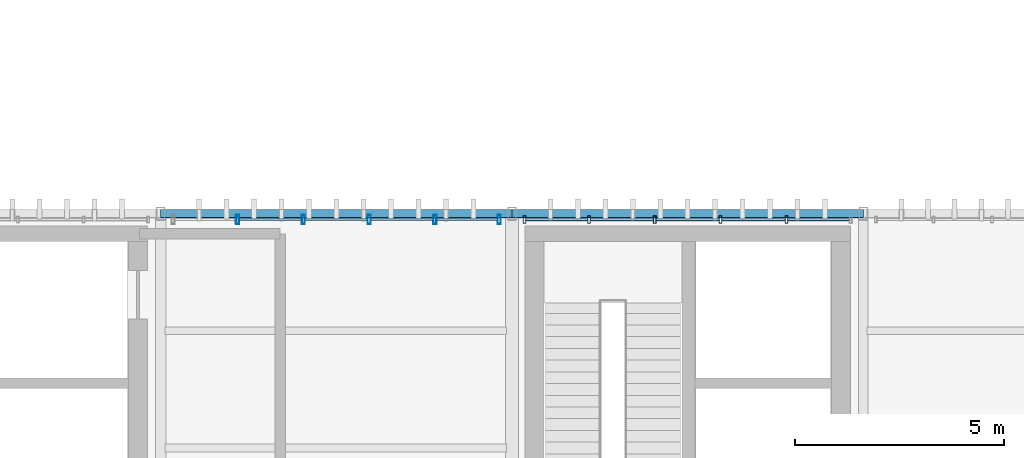
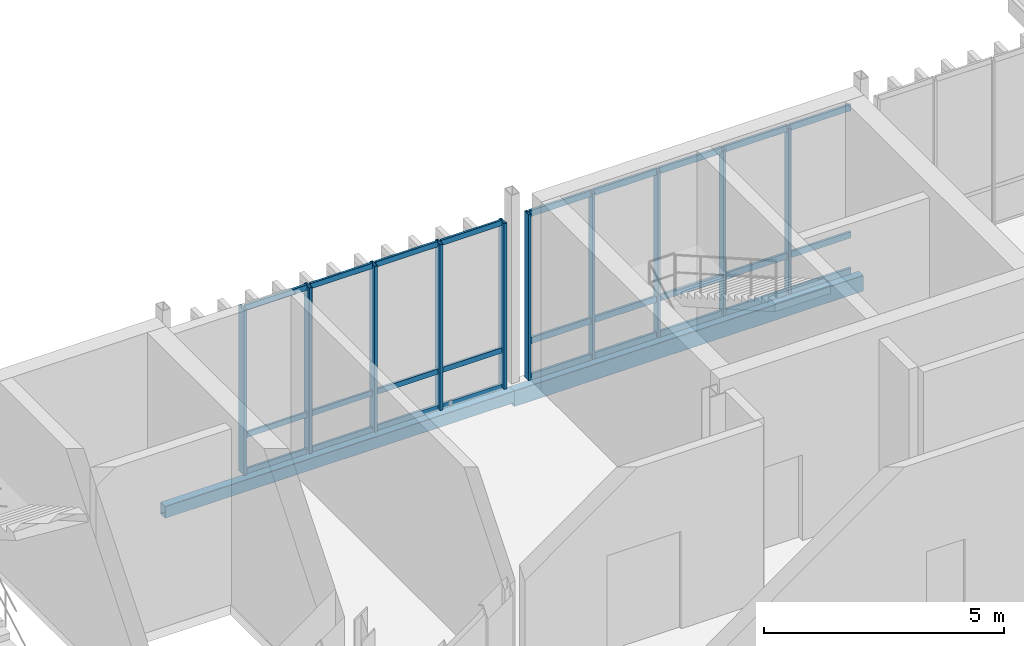
# One storey, part 25 of 94: 37 members, 2 beams, 2 elements without a shape of their own.
"""IFC4 building model written with IfcOpenShell, lengths in metres."""

from ifc_helpers import new_model, si_unit, direction, frame, origin_with_axes, origin_2d_with_axis, place, context, subcontext, project, spatial, hollow_rectangle, extrude, material, material_profile, profile_set, type_object, element, aggregate, save


model = new_model("IFC4")

# Units and contexts
model_context = context("Model", 3, precision=1e-05, world=origin_with_axes(), true_north=direction((0.0, 1.0)))
body_context = subcontext(model_context, "Body", "Model", "MODEL_VIEW")
ifc_project = project(units=[si_unit("LENGTHUNIT", "METRE"), si_unit("AREAUNIT", "SQUARE_METRE"), si_unit("VOLUMEUNIT", "CUBIC_METRE"), si_unit("PLANEANGLEUNIT", "RADIAN"), si_unit("MASSUNIT", "GRAM", prefix="KILO"), si_unit("THERMODYNAMICTEMPERATUREUNIT", "KELVIN")], contexts=[model_context])

# Site, building, storey
site_placement = place(None, origin_with_axes())
site = spatial("IfcSite", under=ifc_project, at=site_placement, CompositionType="ELEMENT")
building_placement = place(site_placement, origin_with_axes())
building = spatial("IfcBuilding", under=site, at=building_placement, Name="Montbau Bow Law Courts", CompositionType="ELEMENT")
storey_placement = place(building_placement, frame((0.0, 0.0, 15.6), z_axis=(0.0, 0.0, 1.0), x_axis=(1.0, 0.0, 0.0)))
storey = spatial("IfcBuildingStorey", under=building, at=storey_placement, Name="L03", CompositionType="ELEMENT", Elevation=15.6)

# Beams
ifc_material_1 = material(Name="Steel CSA G40.21 Grade 350WT (350 MPa)", Category="steel")
ifc_material_profile_1 = material_profile(ifc_material_1, hollow_rectangle(XDim=0.203, YDim=0.406, WallThickness=0.0127, InnerFilletRadius=0.0254, OuterFilletRadius=0.0127, at=origin_2d_with_axis()), Name="HSS406X203X13", Category="Main", Priority=0)
ifc_profile_set_1 = profile_set([ifc_material_profile_1], Name="Steel CSA G40.21 Grade 350WT (350 MPa)")
beam_type_1 = type_object("IfcBeamType", Name="B-SPN-01", PredefinedType="SPANDREL", material=ifc_profile_set_1)
beam_1_placement = place(None, frame((30.6, 54.6, 15.157), z_axis=(1.0, 0.0, 0.0), x_axis=(0.0, 1.0, 0.0)))
element("IfcBeam", 1, at=beam_1_placement, inside=storey, type_object=beam_type_1, Name="SPN-L03-S0599:bm2_0602", PredefinedType="SPANDREL", context=body_context, shape_type="SweptSolid", body=[
    extrude(hollow_rectangle(XDim=0.203, YDim=0.406, WallThickness=0.0127, InnerFilletRadius=0.0254, OuterFilletRadius=0.0127, at=origin_2d_with_axis()), origin_with_axes(), (0.0, 0.0, 1.0), 8.4),
])
ifc_material_profile_2 = material_profile(ifc_material_1, hollow_rectangle(XDim=0.203, YDim=0.305, WallThickness=0.0127, InnerFilletRadius=0.0254, OuterFilletRadius=0.0127, at=origin_2d_with_axis()), Name="HSS305X203X13", Category="Main", Priority=0)
ifc_profile_set_2 = profile_set([ifc_material_profile_2], Name="Steel CSA G40.21 Grade 350WT (350 MPa)")
beam_type_2 = type_object("IfcBeamType", Name="B-SPN-02", PredefinedType="SPANDREL", material=ifc_profile_set_2)
beam_2_placement = place(None, frame((22.2, 54.6, 15.207), z_axis=(1.0, 0.0, 0.0), x_axis=(0.0, 1.0, 0.0)))
element("IfcBeam", 2, at=beam_2_placement, inside=storey, type_object=beam_type_2, Name="SPN-L03-S0598:bm2_0601", PredefinedType="SPANDREL", context=body_context, shape_type="SweptSolid", body=[
    extrude(hollow_rectangle(XDim=0.203, YDim=0.305, WallThickness=0.0127, InnerFilletRadius=0.0254, OuterFilletRadius=0.0127, at=origin_2d_with_axis()), origin_with_axes(), (0.0, 0.0, 1.0), 8.4),
])

# Curtain wall, members
ifc_material_2 = material(Name="Thermally Broken Extruded Aluminium AA 6063-T6", Category="aluminium")
curtain_wall_type = type_object("IfcCurtainWallType", Name="CW-TRC-01", PredefinedType="NOTDEFINED", material=ifc_material_2)
curtain_wall_1_placement = place(None, frame((22.467, 54.46, 15.6), z_axis=(0.0, 0.0, 1.0), x_axis=(1.0, 0.0, 0.0)))
curtain_wall_1 = element("IfcCurtainWall", 3, at=curtain_wall_1_placement, inside=storey, type_object=curtain_wall_type, Name="CW-L03-057:cw_0057", PredefinedType="NOTDEFINED")
ifc_material_profile_3 = material_profile(ifc_material_2, hollow_rectangle(XDim=0.075, YDim=0.22, WallThickness=0.005, InnerFilletRadius=0.01, OuterFilletRadius=0.005, at=origin_2d_with_axis()), Name="CWM-220X75", Category="Main", Priority=0)
ifc_profile_set_3 = profile_set([ifc_material_profile_3], Name="Thermally Broken Extruded Aluminium AA 6063-T6")
member_type_1 = type_object("IfcMemberType", Name="M-MUL-01", PredefinedType="MULLION", material=ifc_profile_set_3)
member_1_placement = place(None, frame((24.04, 54.46, 15.6), z_axis=(0.0, 0.0, 1.0), x_axis=(1.0, 0.0, 0.0)))
member_1 = element("IfcMember", 4, at=member_1_placement, type_object=member_type_1, Name="CW-L03-057-M02:cw_0057_M02", PredefinedType="MULLION", context=body_context, shape_type="SweptSolid", body=[
    extrude(hollow_rectangle(XDim=0.075, YDim=0.22, WallThickness=0.005, InnerFilletRadius=0.01, OuterFilletRadius=0.005, at=origin_2d_with_axis()), origin_with_axes(), (0.0, 0.0, 1.0), 4.22),
])
member_2_placement = place(None, frame((25.613, 54.46, 15.6), z_axis=(0.0, 0.0, 1.0), x_axis=(1.0, 0.0, 0.0)))
member_2 = element("IfcMember", 5, at=member_2_placement, type_object=member_type_1, Name="CW-L03-057-M03:cw_0057_M03", PredefinedType="MULLION", context=body_context, shape_type="SweptSolid", body=[
    extrude(hollow_rectangle(XDim=0.075, YDim=0.22, WallThickness=0.005, InnerFilletRadius=0.01, OuterFilletRadius=0.005, at=origin_2d_with_axis()), origin_with_axes(), (0.0, 0.0, 1.0), 4.22),
])
member_3_placement = place(None, frame((27.187, 54.46, 15.6), z_axis=(0.0, 0.0, 1.0), x_axis=(1.0, 0.0, 0.0)))
member_3 = element("IfcMember", 6, at=member_3_placement, type_object=member_type_1, Name="CW-L03-057-M04:cw_0057_M04", PredefinedType="MULLION", context=body_context, shape_type="SweptSolid", body=[
    extrude(hollow_rectangle(XDim=0.075, YDim=0.22, WallThickness=0.005, InnerFilletRadius=0.01, OuterFilletRadius=0.005, at=origin_2d_with_axis()), origin_with_axes(), (0.0, 0.0, 1.0), 4.22),
])
member_4_placement = place(None, frame((28.76, 54.46, 15.6), z_axis=(0.0, 0.0, 1.0), x_axis=(1.0, 0.0, 0.0)))
member_4 = element("IfcMember", 7, at=member_4_placement, type_object=member_type_1, Name="CW-L03-057-M05:cw_0057_M05", PredefinedType="MULLION", context=body_context, shape_type="SweptSolid", body=[
    extrude(hollow_rectangle(XDim=0.075, YDim=0.22, WallThickness=0.005, InnerFilletRadius=0.01, OuterFilletRadius=0.005, at=origin_2d_with_axis()), origin_with_axes(), (0.0, 0.0, 1.0), 4.22),
])
member_5_placement = place(None, frame((30.296, 54.46, 15.6), z_axis=(0.0, 0.0, 1.0), x_axis=(1.0, 0.0, 0.0)))
member_5 = element("IfcMember", 8, at=member_5_placement, type_object=member_type_1, Name="CW-L03-057-M06:cw_0057_M06", PredefinedType="MULLION", context=body_context, shape_type="SweptSolid", body=[
    extrude(hollow_rectangle(XDim=0.075, YDim=0.22, WallThickness=0.005, InnerFilletRadius=0.01, OuterFilletRadius=0.005, at=origin_2d_with_axis()), origin_with_axes(), (0.0, 0.0, 1.0), 4.22),
])

curtain_wall_2_placement = place(None, frame((30.867, 54.46, 15.6), z_axis=(0.0, 0.0, 1.0), x_axis=(1.0, 0.0, 0.0)))
curtain_wall_2 = element("IfcCurtainWall", 9, at=curtain_wall_2_placement, inside=storey, type_object=curtain_wall_type, Name="CW-L03-058:cw_0058", PredefinedType="NOTDEFINED")
ifc_material_profile_4 = material_profile(ifc_material_2, hollow_rectangle(XDim=0.065, YDim=0.18, WallThickness=0.005, InnerFilletRadius=0.01, OuterFilletRadius=0.005, at=origin_2d_with_axis()), Name="CWM-180X65", Category="Main", Priority=0)
ifc_profile_set_4 = profile_set([ifc_material_profile_4], Name="Thermally Broken Extruded Aluminium AA 6063-T6")
member_type_2 = type_object("IfcMemberType", Name="M-MUL-02", PredefinedType="MULLION", material=ifc_profile_set_4)
member_6_placement = place(None, frame((30.9, 54.46, 15.6), z_axis=(0.0, 0.0, 1.0), x_axis=(1.0, 0.0, 0.0)))
member_6 = element("IfcMember", 10, at=member_6_placement, type_object=member_type_2, Name="CW-L03-058-M01:cw_0058_M01", PredefinedType="MULLION", context=body_context, shape_type="SweptSolid", body=[
    extrude(hollow_rectangle(XDim=0.065, YDim=0.18, WallThickness=0.005, InnerFilletRadius=0.01, OuterFilletRadius=0.005, at=origin_2d_with_axis()), origin_with_axes(), (0.0, 0.0, 1.0), 4.22),
])
member_7_placement = place(None, frame((32.44, 54.46, 15.6), z_axis=(0.0, 0.0, 1.0), x_axis=(1.0, 0.0, 0.0)))
member_7 = element("IfcMember", 11, at=member_7_placement, type_object=member_type_2, Name="CW-L03-058-M02:cw_0058_M02", PredefinedType="MULLION", context=body_context, shape_type="SweptSolid", body=[
    extrude(hollow_rectangle(XDim=0.065, YDim=0.18, WallThickness=0.005, InnerFilletRadius=0.01, OuterFilletRadius=0.005, at=origin_2d_with_axis()), origin_with_axes(), (0.0, 0.0, 1.0), 4.22),
])
member_8_placement = place(None, frame((34.013, 54.46, 15.6), z_axis=(0.0, 0.0, 1.0), x_axis=(1.0, 0.0, 0.0)))
member_8 = element("IfcMember", 12, at=member_8_placement, type_object=member_type_2, Name="CW-L03-058-M03:cw_0058_M03", PredefinedType="MULLION", context=body_context, shape_type="SweptSolid", body=[
    extrude(hollow_rectangle(XDim=0.065, YDim=0.18, WallThickness=0.005, InnerFilletRadius=0.01, OuterFilletRadius=0.005, at=origin_2d_with_axis()), origin_with_axes(), (0.0, 0.0, 1.0), 4.22),
])
member_9_placement = place(None, frame((35.586, 54.46, 15.6), z_axis=(0.0, 0.0, 1.0), x_axis=(1.0, 0.0, 0.0)))
member_9 = element("IfcMember", 13, at=member_9_placement, type_object=member_type_2, Name="CW-L03-058-M04:cw_0058_M04", PredefinedType="MULLION", context=body_context, shape_type="SweptSolid", body=[
    extrude(hollow_rectangle(XDim=0.065, YDim=0.18, WallThickness=0.005, InnerFilletRadius=0.01, OuterFilletRadius=0.005, at=origin_2d_with_axis()), origin_with_axes(), (0.0, 0.0, 1.0), 4.22),
])
member_10_placement = place(None, frame((37.159, 54.46, 15.6), z_axis=(0.0, 0.0, 1.0), x_axis=(1.0, 0.0, 0.0)))
member_10 = element("IfcMember", 14, at=member_10_placement, type_object=member_type_2, Name="CW-L03-058-M05:cw_0058_M05", PredefinedType="MULLION", context=body_context, shape_type="SweptSolid", body=[
    extrude(hollow_rectangle(XDim=0.065, YDim=0.18, WallThickness=0.005, InnerFilletRadius=0.01, OuterFilletRadius=0.005, at=origin_2d_with_axis()), origin_with_axes(), (0.0, 0.0, 1.0), 4.22),
])
ifc_material_profile_5 = material_profile(ifc_material_2, hollow_rectangle(XDim=0.06, YDim=0.16, WallThickness=0.004, InnerFilletRadius=0.008, OuterFilletRadius=0.004, at=origin_2d_with_axis()), Name="CWT-160X60", Category="Main", Priority=0)
ifc_profile_set_5 = profile_set([ifc_material_profile_5], Name="Thermally Broken Extruded Aluminium AA 6063-T6")
member_type_3 = type_object("IfcMemberType", Name="M-TRN-01", PredefinedType="USERDEFINED", material=ifc_profile_set_5)
member_11_placement = place(None, frame((30.935, 54.46, 15.63), z_axis=(1.0, 0.0, 0.0), x_axis=(0.0, 1.0, 0.0)))
member_11 = element("IfcMember", 15, at=member_11_placement, type_object=member_type_3, Name="CW-L03-058-T01-1:cw_0058_T01_1", ObjectType="TRANSOM", PredefinedType="USERDEFINED", context=body_context, shape_type="SweptSolid", body=[
    extrude(hollow_rectangle(XDim=0.06, YDim=0.16, WallThickness=0.004, InnerFilletRadius=0.008, OuterFilletRadius=0.004, at=origin_2d_with_axis()), origin_with_axes(), (0.0, 0.0, 1.0), 1.47),
])
member_12_placement = place(None, frame((30.935, 54.46, 16.55), z_axis=(1.0, 0.0, 0.0), x_axis=(0.0, 1.0, 0.0)))
member_12 = element("IfcMember", 16, at=member_12_placement, type_object=member_type_3, Name="CW-L03-058-T01-2:cw_0058_T01_2", ObjectType="TRANSOM", PredefinedType="USERDEFINED", context=body_context, shape_type="SweptSolid", body=[
    extrude(hollow_rectangle(XDim=0.06, YDim=0.16, WallThickness=0.004, InnerFilletRadius=0.008, OuterFilletRadius=0.004, at=origin_2d_with_axis()), origin_with_axes(), (0.0, 0.0, 1.0), 1.47),
])
member_13_placement = place(None, frame((30.935, 54.46, 19.79), z_axis=(1.0, 0.0, 0.0), x_axis=(0.0, 1.0, 0.0)))
member_13 = element("IfcMember", 17, at=member_13_placement, type_object=member_type_3, Name="CW-L03-058-T01-3:cw_0058_T01_3", ObjectType="TRANSOM", PredefinedType="USERDEFINED", context=body_context, shape_type="SweptSolid", body=[
    extrude(hollow_rectangle(XDim=0.06, YDim=0.16, WallThickness=0.004, InnerFilletRadius=0.008, OuterFilletRadius=0.004, at=origin_2d_with_axis()), origin_with_axes(), (0.0, 0.0, 1.0), 1.47),
])
member_14_placement = place(None, frame((32.474, 54.46, 15.63), z_axis=(1.0, 0.0, 0.0), x_axis=(0.0, 1.0, 0.0)))
member_14 = element("IfcMember", 18, at=member_14_placement, type_object=member_type_3, Name="CW-L03-058-T02-1:cw_0058_T02_1", ObjectType="TRANSOM", PredefinedType="USERDEFINED", context=body_context, shape_type="SweptSolid", body=[
    extrude(hollow_rectangle(XDim=0.06, YDim=0.16, WallThickness=0.004, InnerFilletRadius=0.008, OuterFilletRadius=0.004, at=origin_2d_with_axis()), origin_with_axes(), (0.0, 0.0, 1.0), 1.504),
])
member_15_placement = place(None, frame((32.474, 54.46, 16.55), z_axis=(1.0, 0.0, 0.0), x_axis=(0.0, 1.0, 0.0)))
member_15 = element("IfcMember", 19, at=member_15_placement, type_object=member_type_3, Name="CW-L03-058-T02-2:cw_0058_T02_2", ObjectType="TRANSOM", PredefinedType="USERDEFINED", context=body_context, shape_type="SweptSolid", body=[
    extrude(hollow_rectangle(XDim=0.06, YDim=0.16, WallThickness=0.004, InnerFilletRadius=0.008, OuterFilletRadius=0.004, at=origin_2d_with_axis()), origin_with_axes(), (0.0, 0.0, 1.0), 1.504),
])
member_16_placement = place(None, frame((32.474, 54.46, 19.79), z_axis=(1.0, 0.0, 0.0), x_axis=(0.0, 1.0, 0.0)))
member_16 = element("IfcMember", 20, at=member_16_placement, type_object=member_type_3, Name="CW-L03-058-T02-3:cw_0058_T02_3", ObjectType="TRANSOM", PredefinedType="USERDEFINED", context=body_context, shape_type="SweptSolid", body=[
    extrude(hollow_rectangle(XDim=0.06, YDim=0.16, WallThickness=0.004, InnerFilletRadius=0.008, OuterFilletRadius=0.004, at=origin_2d_with_axis()), origin_with_axes(), (0.0, 0.0, 1.0), 1.504),
])
member_17_placement = place(None, frame((34.047, 54.46, 15.63), z_axis=(1.0, 0.0, 0.0), x_axis=(0.0, 1.0, 0.0)))
member_17 = element("IfcMember", 21, at=member_17_placement, type_object=member_type_3, Name="CW-L03-058-T03-1:cw_0058_T03_1", ObjectType="TRANSOM", PredefinedType="USERDEFINED", context=body_context, shape_type="SweptSolid", body=[
    extrude(hollow_rectangle(XDim=0.06, YDim=0.16, WallThickness=0.004, InnerFilletRadius=0.008, OuterFilletRadius=0.004, at=origin_2d_with_axis()), origin_with_axes(), (0.0, 0.0, 1.0), 1.505),
])
member_18_placement = place(None, frame((34.047, 54.46, 16.55), z_axis=(1.0, 0.0, 0.0), x_axis=(0.0, 1.0, 0.0)))
member_18 = element("IfcMember", 22, at=member_18_placement, type_object=member_type_3, Name="CW-L03-058-T03-2:cw_0058_T03_2", ObjectType="TRANSOM", PredefinedType="USERDEFINED", context=body_context, shape_type="SweptSolid", body=[
    extrude(hollow_rectangle(XDim=0.06, YDim=0.16, WallThickness=0.004, InnerFilletRadius=0.008, OuterFilletRadius=0.004, at=origin_2d_with_axis()), origin_with_axes(), (0.0, 0.0, 1.0), 1.505),
])
member_19_placement = place(None, frame((34.047, 54.46, 19.79), z_axis=(1.0, 0.0, 0.0), x_axis=(0.0, 1.0, 0.0)))
member_19 = element("IfcMember", 23, at=member_19_placement, type_object=member_type_3, Name="CW-L03-058-T03-3:cw_0058_T03_3", ObjectType="TRANSOM", PredefinedType="USERDEFINED", context=body_context, shape_type="SweptSolid", body=[
    extrude(hollow_rectangle(XDim=0.06, YDim=0.16, WallThickness=0.004, InnerFilletRadius=0.008, OuterFilletRadius=0.004, at=origin_2d_with_axis()), origin_with_axes(), (0.0, 0.0, 1.0), 1.505),
])
member_20_placement = place(None, frame((35.62, 54.46, 15.63), z_axis=(1.0, 0.0, 0.0), x_axis=(0.0, 1.0, 0.0)))
member_20 = element("IfcMember", 24, at=member_20_placement, type_object=member_type_3, Name="CW-L03-058-T04-1:cw_0058_T04_1", ObjectType="TRANSOM", PredefinedType="USERDEFINED", context=body_context, shape_type="SweptSolid", body=[
    extrude(hollow_rectangle(XDim=0.06, YDim=0.16, WallThickness=0.004, InnerFilletRadius=0.008, OuterFilletRadius=0.004, at=origin_2d_with_axis()), origin_with_axes(), (0.0, 0.0, 1.0), 1.505),
])
member_21_placement = place(None, frame((35.62, 54.46, 16.55), z_axis=(1.0, 0.0, 0.0), x_axis=(0.0, 1.0, 0.0)))
member_21 = element("IfcMember", 25, at=member_21_placement, type_object=member_type_3, Name="CW-L03-058-T04-2:cw_0058_T04_2", ObjectType="TRANSOM", PredefinedType="USERDEFINED", context=body_context, shape_type="SweptSolid", body=[
    extrude(hollow_rectangle(XDim=0.06, YDim=0.16, WallThickness=0.004, InnerFilletRadius=0.008, OuterFilletRadius=0.004, at=origin_2d_with_axis()), origin_with_axes(), (0.0, 0.0, 1.0), 1.505),
])
member_22_placement = place(None, frame((35.62, 54.46, 19.79), z_axis=(1.0, 0.0, 0.0), x_axis=(0.0, 1.0, 0.0)))
member_22 = element("IfcMember", 26, at=member_22_placement, type_object=member_type_3, Name="CW-L03-058-T04-3:cw_0058_T04_3", ObjectType="TRANSOM", PredefinedType="USERDEFINED", context=body_context, shape_type="SweptSolid", body=[
    extrude(hollow_rectangle(XDim=0.06, YDim=0.16, WallThickness=0.004, InnerFilletRadius=0.008, OuterFilletRadius=0.004, at=origin_2d_with_axis()), origin_with_axes(), (0.0, 0.0, 1.0), 1.505),
])
member_23_placement = place(None, frame((37.193, 54.46, 15.63), z_axis=(1.0, 0.0, 0.0), x_axis=(0.0, 1.0, 0.0)))
member_23 = element("IfcMember", 27, at=member_23_placement, type_object=member_type_3, Name="CW-L03-058-T05-1:cw_0058_T05_1", ObjectType="TRANSOM", PredefinedType="USERDEFINED", context=body_context, shape_type="SweptSolid", body=[
    extrude(hollow_rectangle(XDim=0.06, YDim=0.16, WallThickness=0.004, InnerFilletRadius=0.008, OuterFilletRadius=0.004, at=origin_2d_with_axis()), origin_with_axes(), (0.0, 0.0, 1.0), 1.472),
])
member_24_placement = place(None, frame((37.193, 54.46, 16.55), z_axis=(1.0, 0.0, 0.0), x_axis=(0.0, 1.0, 0.0)))
member_24 = element("IfcMember", 28, at=member_24_placement, type_object=member_type_3, Name="CW-L03-058-T05-2:cw_0058_T05_2", ObjectType="TRANSOM", PredefinedType="USERDEFINED", context=body_context, shape_type="SweptSolid", body=[
    extrude(hollow_rectangle(XDim=0.06, YDim=0.16, WallThickness=0.004, InnerFilletRadius=0.008, OuterFilletRadius=0.004, at=origin_2d_with_axis()), origin_with_axes(), (0.0, 0.0, 1.0), 1.472),
])
member_25_placement = place(None, frame((37.193, 54.46, 19.79), z_axis=(1.0, 0.0, 0.0), x_axis=(0.0, 1.0, 0.0)))
member_25 = element("IfcMember", 29, at=member_25_placement, type_object=member_type_3, Name="CW-L03-058-T05-3:cw_0058_T05_3", ObjectType="TRANSOM", PredefinedType="USERDEFINED", context=body_context, shape_type="SweptSolid", body=[
    extrude(hollow_rectangle(XDim=0.06, YDim=0.16, WallThickness=0.004, InnerFilletRadius=0.008, OuterFilletRadius=0.004, at=origin_2d_with_axis()), origin_with_axes(), (0.0, 0.0, 1.0), 1.472),
])
aggregate(curtain_wall_2, [member_6, member_7, member_8, member_9, member_10, member_11, member_12, member_13, member_14, member_15, member_16, member_17, member_18, member_19, member_20, member_21, member_22, member_23, member_24, member_25])

# Member
ifc_material_profile_6 = material_profile(ifc_material_2, hollow_rectangle(XDim=0.055, YDim=0.14, WallThickness=0.004, InnerFilletRadius=0.008, OuterFilletRadius=0.004, at=origin_2d_with_axis()), Name="CWT-140X55", Category="Main", Priority=0)
ifc_profile_set_6 = profile_set([ifc_material_profile_6], Name="Thermally Broken Extruded Aluminium AA 6063-T6")
member_type_4 = type_object("IfcMemberType", Name="M-TRN-02", PredefinedType="USERDEFINED", material=ifc_profile_set_6)
member_26_placement = place(None, frame((24.08, 54.46, 15.627), z_axis=(1.0, 0.0, 0.0), x_axis=(0.0, 1.0, 0.0)))
member_26 = element("IfcMember", 30, at=member_26_placement, type_object=member_type_4, Name="CW-L03-057-T02-1:cw_0057_T02_1", ObjectType="TRANSOM", PredefinedType="USERDEFINED", context=body_context, shape_type="SweptSolid", body=[
    extrude(hollow_rectangle(XDim=0.055, YDim=0.14, WallThickness=0.004, InnerFilletRadius=0.008, OuterFilletRadius=0.004, at=origin_2d_with_axis()), origin_with_axes(), (0.0, 0.0, 1.0), 1.494),
])

member_27_placement = place(None, frame((24.08, 54.46, 16.55), z_axis=(1.0, 0.0, 0.0), x_axis=(0.0, 1.0, 0.0)))
member_27 = element("IfcMember", 31, at=member_27_placement, type_object=member_type_4, Name="CW-L03-057-T02-2:cw_0057_T02_2", ObjectType="TRANSOM", PredefinedType="USERDEFINED", context=body_context, shape_type="SweptSolid", body=[
    extrude(hollow_rectangle(XDim=0.055, YDim=0.14, WallThickness=0.004, InnerFilletRadius=0.008, OuterFilletRadius=0.004, at=origin_2d_with_axis()), origin_with_axes(), (0.0, 0.0, 1.0), 1.494),
])

member_28_placement = place(None, frame((24.08, 54.46, 19.793), z_axis=(1.0, 0.0, 0.0), x_axis=(0.0, 1.0, 0.0)))
member_28 = element("IfcMember", 32, at=member_28_placement, type_object=member_type_4, Name="CW-L03-057-T02-3:cw_0057_T02_3", ObjectType="TRANSOM", PredefinedType="USERDEFINED", context=body_context, shape_type="SweptSolid", body=[
    extrude(hollow_rectangle(XDim=0.055, YDim=0.14, WallThickness=0.004, InnerFilletRadius=0.008, OuterFilletRadius=0.004, at=origin_2d_with_axis()), origin_with_axes(), (0.0, 0.0, 1.0), 1.494),
])

member_29_placement = place(None, frame((25.652, 54.46, 15.627), z_axis=(1.0, 0.0, 0.0), x_axis=(0.0, 1.0, 0.0)))
member_29 = element("IfcMember", 33, at=member_29_placement, type_object=member_type_4, Name="CW-L03-057-T03-1:cw_0057_T03_1", ObjectType="TRANSOM", PredefinedType="USERDEFINED", context=body_context, shape_type="SweptSolid", body=[
    extrude(hollow_rectangle(XDim=0.055, YDim=0.14, WallThickness=0.004, InnerFilletRadius=0.008, OuterFilletRadius=0.004, at=origin_2d_with_axis()), origin_with_axes(), (0.0, 0.0, 1.0), 1.496),
])

member_30_placement = place(None, frame((25.652, 54.46, 16.55), z_axis=(1.0, 0.0, 0.0), x_axis=(0.0, 1.0, 0.0)))
member_30 = element("IfcMember", 34, at=member_30_placement, type_object=member_type_4, Name="CW-L03-057-T03-2:cw_0057_T03_2", ObjectType="TRANSOM", PredefinedType="USERDEFINED", context=body_context, shape_type="SweptSolid", body=[
    extrude(hollow_rectangle(XDim=0.055, YDim=0.14, WallThickness=0.004, InnerFilletRadius=0.008, OuterFilletRadius=0.004, at=origin_2d_with_axis()), origin_with_axes(), (0.0, 0.0, 1.0), 1.496),
])

member_31_placement = place(None, frame((25.652, 54.46, 19.793), z_axis=(1.0, 0.0, 0.0), x_axis=(0.0, 1.0, 0.0)))
member_31 = element("IfcMember", 35, at=member_31_placement, type_object=member_type_4, Name="CW-L03-057-T03-3:cw_0057_T03_3", ObjectType="TRANSOM", PredefinedType="USERDEFINED", context=body_context, shape_type="SweptSolid", body=[
    extrude(hollow_rectangle(XDim=0.055, YDim=0.14, WallThickness=0.004, InnerFilletRadius=0.008, OuterFilletRadius=0.004, at=origin_2d_with_axis()), origin_with_axes(), (0.0, 0.0, 1.0), 1.496),
])

member_32_placement = place(None, frame((27.226, 54.46, 15.627), z_axis=(1.0, 0.0, 0.0), x_axis=(0.0, 1.0, 0.0)))
member_32 = element("IfcMember", 36, at=member_32_placement, type_object=member_type_4, Name="CW-L03-057-T04-1:cw_0057_T04_1", ObjectType="TRANSOM", PredefinedType="USERDEFINED", context=body_context, shape_type="SweptSolid", body=[
    extrude(hollow_rectangle(XDim=0.055, YDim=0.14, WallThickness=0.004, InnerFilletRadius=0.008, OuterFilletRadius=0.004, at=origin_2d_with_axis()), origin_with_axes(), (0.0, 0.0, 1.0), 1.495),
])

member_33_placement = place(None, frame((27.226, 54.46, 16.55), z_axis=(1.0, 0.0, 0.0), x_axis=(0.0, 1.0, 0.0)))
member_33 = element("IfcMember", 37, at=member_33_placement, type_object=member_type_4, Name="CW-L03-057-T04-2:cw_0057_T04_2", ObjectType="TRANSOM", PredefinedType="USERDEFINED", context=body_context, shape_type="SweptSolid", body=[
    extrude(hollow_rectangle(XDim=0.055, YDim=0.14, WallThickness=0.004, InnerFilletRadius=0.008, OuterFilletRadius=0.004, at=origin_2d_with_axis()), origin_with_axes(), (0.0, 0.0, 1.0), 1.495),
])

member_34_placement = place(None, frame((27.226, 54.46, 19.793), z_axis=(1.0, 0.0, 0.0), x_axis=(0.0, 1.0, 0.0)))
member_34 = element("IfcMember", 38, at=member_34_placement, type_object=member_type_4, Name="CW-L03-057-T04-3:cw_0057_T04_3", ObjectType="TRANSOM", PredefinedType="USERDEFINED", context=body_context, shape_type="SweptSolid", body=[
    extrude(hollow_rectangle(XDim=0.055, YDim=0.14, WallThickness=0.004, InnerFilletRadius=0.008, OuterFilletRadius=0.004, at=origin_2d_with_axis()), origin_with_axes(), (0.0, 0.0, 1.0), 1.495),
])

member_35_placement = place(None, frame((28.799, 54.46, 15.627), z_axis=(1.0, 0.0, 0.0), x_axis=(0.0, 1.0, 0.0)))
member_35 = element("IfcMember", 39, at=member_35_placement, type_object=member_type_4, Name="CW-L03-057-T05-1:cw_0057_T05_1", ObjectType="TRANSOM", PredefinedType="USERDEFINED", context=body_context, shape_type="SweptSolid", body=[
    extrude(hollow_rectangle(XDim=0.055, YDim=0.14, WallThickness=0.004, InnerFilletRadius=0.008, OuterFilletRadius=0.004, at=origin_2d_with_axis()), origin_with_axes(), (0.0, 0.0, 1.0), 1.458),
])

member_36_placement = place(None, frame((28.799, 54.46, 16.55), z_axis=(1.0, 0.0, 0.0), x_axis=(0.0, 1.0, 0.0)))
member_36 = element("IfcMember", 40, at=member_36_placement, type_object=member_type_4, Name="CW-L03-057-T05-2:cw_0057_T05_2", ObjectType="TRANSOM", PredefinedType="USERDEFINED", context=body_context, shape_type="SweptSolid", body=[
    extrude(hollow_rectangle(XDim=0.055, YDim=0.14, WallThickness=0.004, InnerFilletRadius=0.008, OuterFilletRadius=0.004, at=origin_2d_with_axis()), origin_with_axes(), (0.0, 0.0, 1.0), 1.458),
])

member_37_placement = place(None, frame((28.799, 54.46, 19.793), z_axis=(1.0, 0.0, 0.0), x_axis=(0.0, 1.0, 0.0)))
member_37 = element("IfcMember", 41, at=member_37_placement, type_object=member_type_4, Name="CW-L03-057-T05-3:cw_0057_T05_3", ObjectType="TRANSOM", PredefinedType="USERDEFINED", context=body_context, shape_type="SweptSolid", body=[
    extrude(hollow_rectangle(XDim=0.055, YDim=0.14, WallThickness=0.004, InnerFilletRadius=0.008, OuterFilletRadius=0.004, at=origin_2d_with_axis()), origin_with_axes(), (0.0, 0.0, 1.0), 1.458),
])

aggregate(curtain_wall_1, [member_1, member_2, member_3, member_4, member_5, member_26, member_27, member_28, member_29, member_30, member_31, member_32, member_33, member_34, member_35, member_36, member_37])

save(model, "model.ifc")
